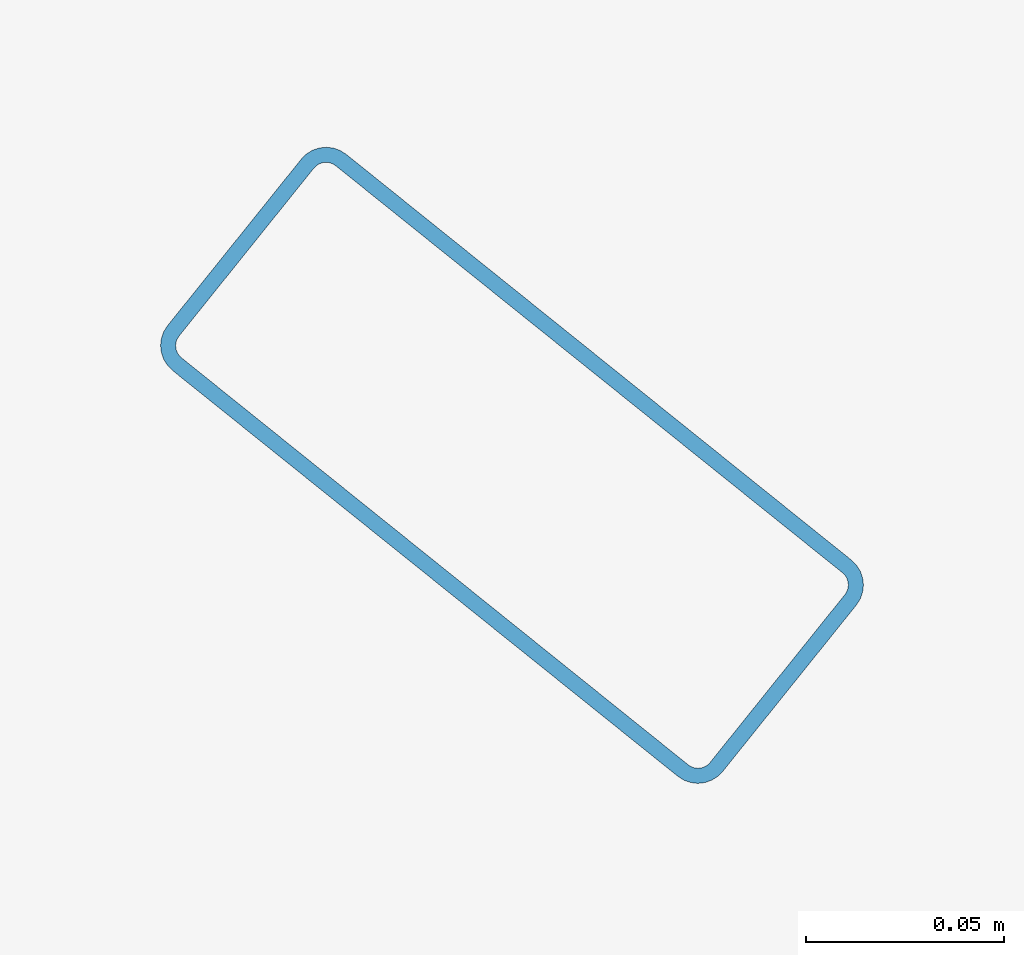
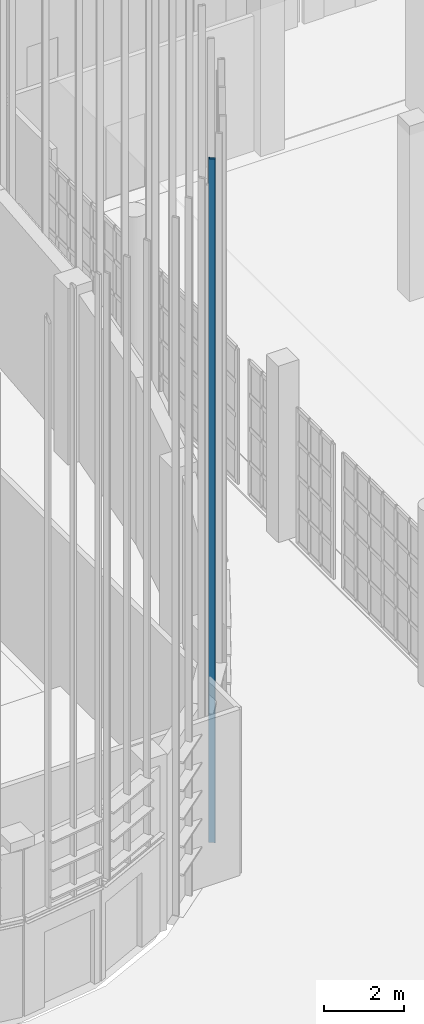
# One storey, part 201 of 372: 1 member.
"""IFC4 building model written with IfcOpenShell, lengths in metres."""

from ifc_helpers import new_model, si_unit, direction, frame, origin, origin_2d, place, context, subcontext, project, spatial, hollow_rectangle, extrude, material, material_profile, profile_set, type_object, element, save


model = new_model("IFC4")

# Units and contexts
model_context = context("Model", 3, precision=1e-05, world=origin(), true_north=direction((0.0, 1.0)))
body_context = subcontext(model_context, "Body", "Model", "MODEL_VIEW")
ifc_project = project(units=[si_unit("LENGTHUNIT", "METRE"), si_unit("AREAUNIT", "SQUARE_METRE"), si_unit("VOLUMEUNIT", "CUBIC_METRE"), si_unit("PLANEANGLEUNIT", "RADIAN"), si_unit("MASSUNIT", "GRAM", prefix="KILO")], contexts=[model_context])

# Site, building, storey
site_placement = place(None, origin())
site = spatial("IfcSite", under=ifc_project, at=site_placement, CompositionType="ELEMENT")
building_placement = place(site_placement, origin())
building = spatial("IfcBuilding", under=site, at=building_placement, Name="Kaelora Sail Theatre", CompositionType="ELEMENT")
storey_placement = place(building_placement, origin())
storey = spatial("IfcBuildingStorey", under=building, at=storey_placement, Name="L00", CompositionType="ELEMENT", Elevation=0.0)

# Member
ifc_material = material(Name="Anodised aluminium 6063-T6", Category="aluminium")
ifc_material_profile = material_profile(ifc_material, hollow_rectangle(XDim=0.070068359375, YDim=0.179931640625, WallThickness=0.00390625, InnerFilletRadius=0.00390625, OuterFilletRadius=0.008056640625, at=origin_2d()), Name="ALU-MULL 70x180x4")
ifc_profile_set = profile_set([ifc_material_profile], Name="Anodised aluminium 6063-T6")
member_type = type_object("IfcMemberType", Name="ARC-MEM-PST-160", PredefinedType="POST", material=ifc_profile_set)
member_placement = place(storey_placement, frame((98.5234375, 35.34716796875, 0.0), z_axis=(0.0, 0.0, 1.0), x_axis=(-0.626195665085, -0.779665947075, 0.0)))
element("IfcMember", 1, at=member_placement, inside=storey, type_object=member_type, Name="Studio Theatre Sail Drum solar louvre vertical support post C7-2", PredefinedType="POST", context=body_context, shape_type="SweptSolid", body=[
    extrude(hollow_rectangle(XDim=0.070068359375, YDim=0.179931640625, WallThickness=0.00390625, InnerFilletRadius=0.00390625, OuterFilletRadius=0.008056640625, at=origin_2d()), origin(), (0.0, 0.0, 1.0), 20.927978515625),
])

save(model, "model.ifc")
